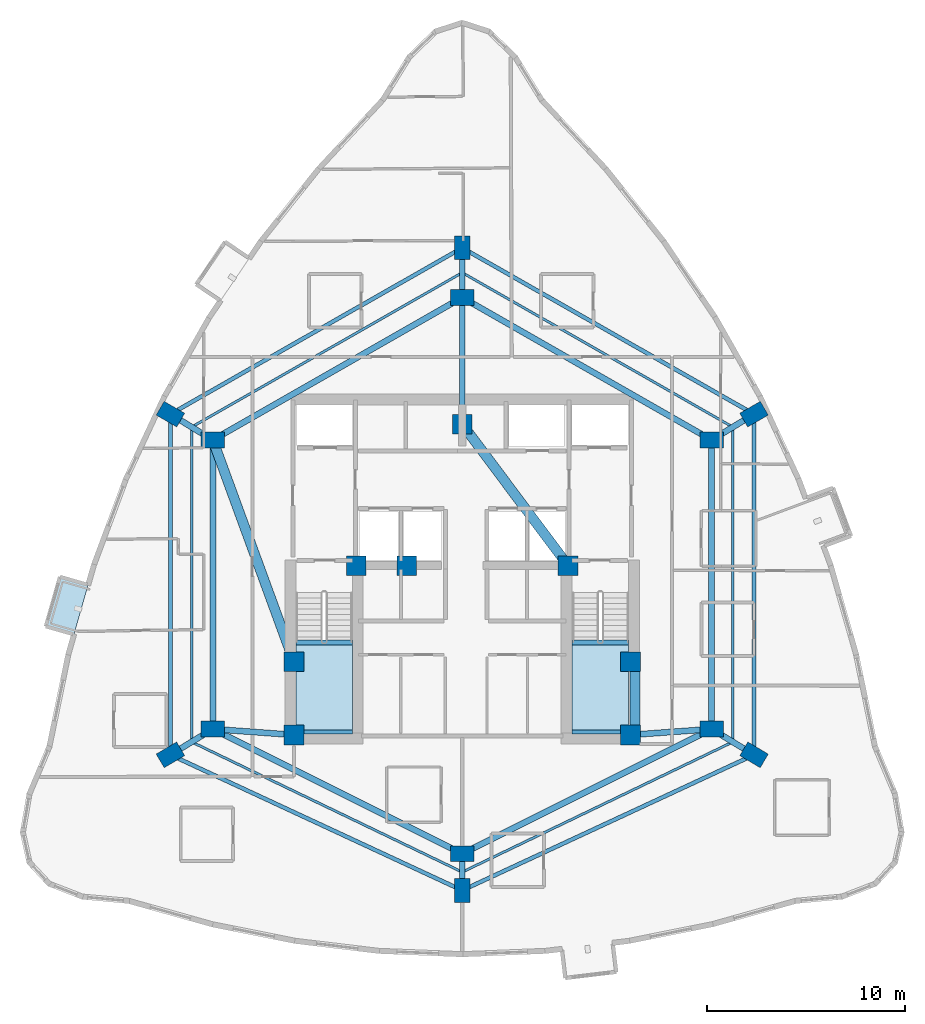
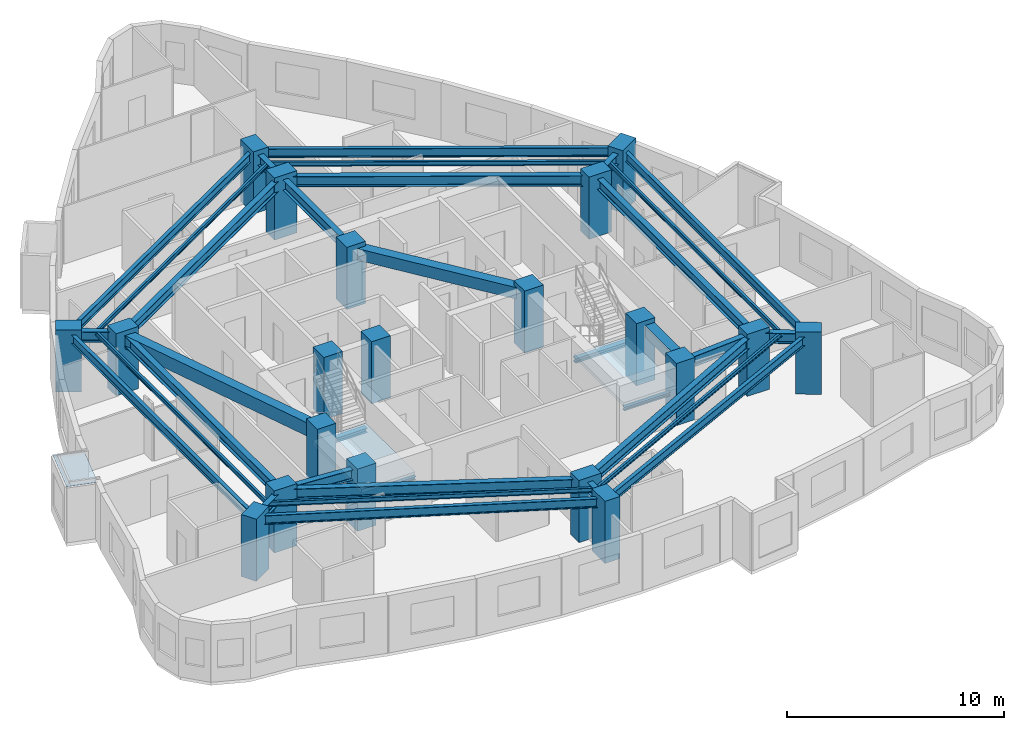
# One storey, part 1 of 11: 34 beams, 20 columns, 2 slabs, 1 plate, 2 elements without a shape of their own.
"""IFC4 building model written with IfcOpenShell, lengths in metres."""

from ifc_helpers import new_model, si_unit, direction, frame, origin, origin_2d, place, context, subcontext, project, spatial, polyline, rectangle, i_section, outline, extrude, material, layer, layer_set, material_profile, profile_set, type_object, element, aggregate, save


model = new_model("IFC4")

# Units and contexts
model_context = context("Model", 3, precision=1e-05, world=origin(), true_north=direction((0.0, 1.0)))
body_context = subcontext(model_context, "Body", "Model", "MODEL_VIEW")
ifc_project = project(units=[si_unit("LENGTHUNIT", "METRE"), si_unit("AREAUNIT", "SQUARE_METRE"), si_unit("VOLUMEUNIT", "CUBIC_METRE"), si_unit("PLANEANGLEUNIT", "RADIAN"), si_unit("MASSUNIT", "GRAM", prefix="KILO")], contexts=[model_context])

# Site, building, storey
site_placement = place(None, origin())
site = spatial("IfcSite", under=ifc_project, at=site_placement, CompositionType="ELEMENT")
building_placement = place(site_placement, origin())
building = spatial("IfcBuilding", under=site, at=building_placement, Name="Miruveldt Soraemaru", CompositionType="ELEMENT")
storey_placement = place(building_placement, frame((0.0, 0.0, 100.39990234375)))
storey = spatial("IfcBuildingStorey", under=building, at=storey_placement, Name="L27", CompositionType="ELEMENT", Elevation=100.39990234375)

# Columns
ifc_material_1 = material(Name="Concrete C60/75 (60 MPa)", Category="concrete")
ifc_material_profile_1 = material_profile(ifc_material_1, rectangle(XDim=1.0, YDim=1.0, at=origin_2d()), Name="Concrete C60/75 (60 MPa)", Category="concrete")
ifc_profile_set_1 = profile_set([ifc_material_profile_1], Name="Concrete C60/75 (60 MPa)")
column_type_1 = type_object("IfcColumnType", Name="COL-CORE-1000", PredefinedType="COLUMN", material=ifc_profile_set_1)
for number, where, z_axis, x_axis, name in (
    (1, (35.5, 35.5, 0.0), (0.0, 0.0, 1.0), (1.0, 0.0, 0.0), "L27 Structural Column CC1"),
    (2, (38.64990234375, 44.050048828125, 0.0), (0.0, 0.0, 1.0), (1.0, 0.0, 0.0), "L27 Structural Column CC2"),
    (3, (52.5, 35.5, 0.0), (0.0, 0.0, 1.0), (1.0, 0.0, 0.0), "L27 Structural Column CC3"),
    (4, (52.5, 39.199951171875, 0.0), (0.0, 0.0, 1.0), (1.0, 0.0, 0.0), "L27 Structural Column CC4"),
    (5, (49.35009765625, 44.050048828125, 0.0), (0.0, 0.0, 1.0), (1.0, 0.0, 0.0), "L27 Structural Column CC5"),
    (6, (44.0, 51.199951171875, 0.0), (0.0, 0.0, 1.0), (1.0, 0.0, 0.0), "L27 Structural Column CC6"),
    (7, (35.5, 39.199951171875, 0.0), (0.0, 0.0, 1.0), (1.0, 0.0, 0.0), "L27 Structural Column CC7"),
    (8, (41.199951171875, 44.050048828125, 0.0), (0.0, 0.0, 1.0), (1.0, 0.0, 0.0), "L27 Structural Column CC8"),
):
    element("IfcColumn", number, at=place(storey_placement, frame(where, z_axis=z_axis, x_axis=x_axis)), inside=storey, type_object=column_type_1, Name=name, PredefinedType="COLUMN", context=body_context, shape_type="SweptSolid", body=[
        extrude(rectangle(XDim=1.0, YDim=1.0, at=origin_2d()), origin(), (0.0, 0.0, 1.0), 3.5),
    ])
ifc_material_2 = material(Name="Concrete C70/85 (70 MPa)", Category="concrete")
ifc_material_profile_2 = material_profile(ifc_material_2, rectangle(XDim=1.199951171875, YDim=0.800048828125, at=origin_2d()), Name="Concrete C70/85 (70 MPa)", Category="concrete")
ifc_profile_set_2 = profile_set([ifc_material_profile_2], Name="Concrete C70/85 (70 MPa)")
column_type_2 = type_object("IfcColumnType", Name="COL-TW-Z2", PredefinedType="COLUMN", material=ifc_profile_set_2)
for number, where, z_axis, x_axis, name in (
    (9, (44.0, 57.60009765625, 0.0), (0.0, 0.0, 1.0), (1.0, 0.0, 0.0), "L27 Structural Column IR01"),
    (10, (56.60009765625, 50.39990234375, 0.0), (0.0, 0.0, 1.0), (1.0, 0.0, 0.0), "L27 Structural Column IR02"),
    (11, (56.60009765625, 35.800048828125, 0.0), (0.0, 0.0, 1.0), (1.0, 0.0, 0.0), "L27 Structural Column IR03"),
    (12, (44.0, 29.5, 0.0), (0.0, 0.0, 1.0), (1.0, 0.0, 0.0), "L27 Structural Column IR04"),
    (13, (31.39990234375, 35.800048828125, 0.0), (0.0, 0.0, 1.0), (1.0, 0.0, 0.0), "L27 Structural Column IR05"),
    (14, (31.39990234375, 50.39990234375, 0.0), (0.0, 0.0, 1.0), (1.0, 0.0, 0.0), "L27 Structural Column IR06"),
    (15, (44.0, 60.10595703125, 0.0), (0.0, 0.0, 1.0), (0.0, 1.0, 0.0), "L27 Structural Column Z2P01"),
    (16, (58.739990234375, 51.705078125, 0.0), (0.0, 0.0, 1.0), (0.866025403784, 0.5, 0.0), "L27 Structural Column Z2P02"),
    (17, (58.739990234375, 34.4951171875, 0.0), (0.0, 0.0, 1.0), (-0.860742027004, 0.50904141575, 0.0), "L27 Structural Column Z2P03"),
    (18, (44.0, 27.64697265625, 0.0), (0.0, 0.0, 1.0), (0.0, 1.0, 0.0), "L27 Structural Column Z2P04"),
    (19, (29.260009765625, 34.4951171875, 0.0), (0.0, 0.0, 1.0), (0.860742027004, 0.50904141575, 0.0), "L27 Structural Column Z2P05"),
    (20, (29.260009765625, 51.705078125, 0.0), (0.0, 0.0, 1.0), (-0.866025403784, 0.5, 0.0), "L27 Structural Column Z2P06"),
):
    element("IfcColumn", number, at=place(storey_placement, frame(where, z_axis=z_axis, x_axis=x_axis)), inside=storey, type_object=column_type_2, Name=name, PredefinedType="COLUMN", context=body_context, shape_type="SweptSolid", body=[
        extrude(rectangle(XDim=1.199951171875, YDim=0.800048828125, at=origin_2d()), origin(), (0.0, 0.0, 1.0), 3.5),
    ])

# Beams
ifc_material_3 = material(Name="Concrete C50/60 (50 MPa)", Category="concrete")
ifc_material_profile_3 = material_profile(ifc_material_3, rectangle(XDim=0.5, YDim=0.64990234375, at=origin_2d()), Name="Concrete C50/60 (50 MPa)", Category="concrete")
ifc_profile_set_3 = profile_set([ifc_material_profile_3], Name="Concrete C50/60 (50 MPa)")
beam_type_1 = type_object("IfcBeamType", Name="BM-RC-500x650", PredefinedType="BEAM", material=ifc_profile_set_3)
beam_1_placement = place(storey_placement, frame((52.72998046875, 35.5, 2.91015625), z_axis=(0.0, 1.0, 0.0), x_axis=(-1.0, 0.0, 0.0)))
element("IfcBeam", 21, at=beam_1_placement, inside=storey, type_object=beam_type_1, Name="L27 Core Tie Beam 3", PredefinedType="BEAM", context=body_context, shape_type="SweptSolid", body=[
    extrude(rectangle(XDim=0.5, YDim=0.64990234375, at=origin_2d()), origin(), (0.0, 0.0, 1.0), 3.699951171875),
])
beam_2_placement = place(storey_placement, frame((49.35009765625, 44.050048828125, 2.91015625), z_axis=(-0.599116023999, 0.800662219533, 0.0), x_axis=(-0.800662219533, -0.599116023999, 0.0)))
element("IfcBeam", 22, at=beam_2_placement, inside=storey, type_object=beam_type_1, Name="L27 Core Tie Beam 5", PredefinedType="BEAM", context=body_context, shape_type="SweptSolid", body=[
    extrude(rectangle(XDim=0.5, YDim=0.64990234375, at=origin_2d()), origin(), (0.0, 0.0, 1.0), 8.929931640625),
])
ifc_material_4 = material(Name="Concrete C40/50 (40 MPa)", Category="concrete")
ifc_material_profile_4 = material_profile(ifc_material_4, rectangle(XDim=0.5, YDim=0.75, at=origin_2d()), Name="Concrete C40/50 (40 MPa)", Category="concrete")
ifc_profile_set_4 = profile_set([ifc_material_profile_4], Name="Concrete C40/50 (40 MPa)")
beam_type_2 = type_object("IfcBeamType", Name="BM-RC-500x750", PredefinedType="LINTEL", material=ifc_profile_set_4)
beam_3_placement = place(storey_placement, frame((31.39990234375, 50.39990234375, 2.860107421875), z_axis=(0.343770424598, -0.939053723262, 0.0), x_axis=(0.939053723262, 0.343770424598, 0.0)))
element("IfcBeam", 23, at=beam_3_placement, inside=storey, type_object=beam_type_2, Name="L27 West Lobby Lintel", PredefinedType="LINTEL", context=body_context, shape_type="SweptSolid", body=[
    extrude(rectangle(XDim=0.5, YDim=0.75, at=origin_2d()), origin(), (0.0, 0.0, 1.0), 11.9267578125),
])
ifc_material_5 = material(Name="Steel SM355 (355 MPa)", Category="steel")
ifc_material_profile_5 = material_profile(ifc_material_5, i_section(OverallWidth=0.125, OverallDepth=0.25, WebThickness=0.006103515625, FlangeThickness=0.009033203125, FilletRadius=0.011962890625, at=origin_2d()), Name="Steel SM355 (355 MPa)", Category="steel")
ifc_profile_set_5 = profile_set([ifc_material_profile_5], Name="Steel SM355 (355 MPa)")
beam_type_3 = type_object("IfcBeamType", Name="BM-ST-H250", PredefinedType="JOIST", material=ifc_profile_set_5)
beam_4_placement = place(storey_placement, frame((44.0, 58.85302734375, 3.110107421875), z_axis=(0.868539859756, -0.495619321672, 0.0), x_axis=(0.495619321672, 0.868539859756, 0.0)))
element("IfcBeam", 24, at=beam_4_placement, inside=storey, type_object=beam_type_3, Name="L27 Outer Bay Floor Joist 1", PredefinedType="JOIST", context=body_context, shape_type="SweptSolid", body=[
    extrude(i_section(OverallWidth=0.125, OverallDepth=0.25, WebThickness=0.006103515625, FlangeThickness=0.009033203125, FilletRadius=0.011962890625, at=origin_2d()), origin(), (0.0, 0.0, 1.0), 15.739013671875),
])
beam_5_placement = place(storey_placement, frame((57.669921875, 51.052490234375, 3.110107421875), z_axis=(0.0, -1.0, 0.0), x_axis=(1.0, 0.0, 0.0)))
element("IfcBeam", 25, at=beam_5_placement, inside=storey, type_object=beam_type_3, Name="L27 Outer Bay Floor Joist 2", PredefinedType="JOIST", context=body_context, shape_type="SweptSolid", body=[
    extrude(i_section(OverallWidth=0.125, OverallDepth=0.25, WebThickness=0.006103515625, FlangeThickness=0.009033203125, FilletRadius=0.011962890625, at=origin_2d()), origin(), (0.0, 0.0, 1.0), 15.905029296875),
])
for number, where, z_axis, x_axis, name in (
    (26, (57.669921875, 35.1474609375, 3.110107421875), (-0.901203586802, -0.433396002676, 0.0), (0.433396002676, -0.901203586802, 0.0), "L27 Outer Bay Floor Joist 3"),
    (27, (44.0, 28.573486328125, 3.110107421875), (-0.901203586802, 0.433396002676, 0.0), (-0.433396002676, -0.901203586802, 0.0), "L27 Outer Bay Floor Joist 4"),
):
    element("IfcBeam", number, at=place(storey_placement, frame(where, z_axis=z_axis, x_axis=x_axis)), inside=storey, type_object=beam_type_3, Name=name, PredefinedType="JOIST", context=body_context, shape_type="SweptSolid", body=[
        extrude(i_section(OverallWidth=0.125, OverallDepth=0.25, WebThickness=0.006103515625, FlangeThickness=0.009033203125, FilletRadius=0.011962890625, at=origin_2d()), origin(), (0.0, 0.0, 1.0), 15.16845703125),
    ])
beam_6_placement = place(storey_placement, frame((30.330078125, 35.1474609375, 3.110107421875), z_axis=(0.0, 1.0, 0.0), x_axis=(-1.0, 0.0, 0.0)))
element("IfcBeam", 28, at=beam_6_placement, inside=storey, type_object=beam_type_3, Name="L27 Outer Bay Floor Joist 5", PredefinedType="JOIST", context=body_context, shape_type="SweptSolid", body=[
    extrude(i_section(OverallWidth=0.125, OverallDepth=0.25, WebThickness=0.006103515625, FlangeThickness=0.009033203125, FilletRadius=0.011962890625, at=origin_2d()), origin(), (0.0, 0.0, 1.0), 15.905029296875),
])
beam_7_placement = place(storey_placement, frame((30.330078125, 51.052490234375, 3.110107421875), z_axis=(0.868539859756, 0.495619321672, 0.0), x_axis=(-0.495619321672, 0.868539859756, 0.0)))
element("IfcBeam", 29, at=beam_7_placement, inside=storey, type_object=beam_type_3, Name="L27 Outer Bay Floor Joist 6", PredefinedType="JOIST", context=body_context, shape_type="SweptSolid", body=[
    extrude(i_section(OverallWidth=0.125, OverallDepth=0.25, WebThickness=0.006103515625, FlangeThickness=0.009033203125, FilletRadius=0.011962890625, at=origin_2d()), origin(), (0.0, 0.0, 1.0), 15.739013671875),
])
ifc_material_profile_6 = material_profile(ifc_material_5, i_section(OverallWidth=0.199951171875, OverallDepth=0.5, WebThickness=0.010009765625, FlangeThickness=0.01611328125, FilletRadius=0.02001953125, at=origin_2d()), Name="Steel SM355 (355 MPa)", Category="steel")
ifc_profile_set_6 = profile_set([ifc_material_profile_6], Name="Steel SM355 (355 MPa)")
beam_type_4 = type_object("IfcBeamType", Name="BM-ST-H500", PredefinedType="SPANDREL", material=ifc_profile_set_6)
beam_8_placement = place(storey_placement, frame((44.0, 60.10595703125, 2.985107421875), z_axis=(0.86880048516, -0.495162313778, 0.0), x_axis=(0.495162313778, 0.86880048516, 0.0)))
element("IfcBeam", 30, at=beam_8_placement, inside=storey, type_object=beam_type_4, Name="L27 Zone-2 Spandrel Beam 1", PredefinedType="SPANDREL", context=body_context, shape_type="SweptSolid", body=[
    extrude(i_section(OverallWidth=0.199951171875, OverallDepth=0.5, WebThickness=0.010009765625, FlangeThickness=0.01611328125, FilletRadius=0.02001953125, at=origin_2d()), origin(), (0.0, 0.0, 1.0), 16.9658203125),
])
beam_9_placement = place(storey_placement, frame((58.739990234375, 51.705078125, 2.985107421875), z_axis=(0.0, -1.0, 0.0), x_axis=(1.0, 0.0, 0.0)))
element("IfcBeam", 31, at=beam_9_placement, inside=storey, type_object=beam_type_4, Name="L27 Zone-2 Spandrel Beam 2", PredefinedType="SPANDREL", context=body_context, shape_type="SweptSolid", body=[
    extrude(i_section(OverallWidth=0.199951171875, OverallDepth=0.5, WebThickness=0.010009765625, FlangeThickness=0.01611328125, FilletRadius=0.02001953125, at=origin_2d()), origin(), (0.0, 0.0, 1.0), 17.2099609375),
])
for number, where, z_axis, x_axis, name in (
    (32, (58.739990234375, 34.4951171875, 2.985107421875), (-0.906901362829, -0.421342993414, 0.0), (0.421342993414, -0.906901362829, 0.0), "L27 Zone-2 Spandrel Beam 3"),
    (33, (44.0, 27.64697265625, 2.985107421875), (-0.906901362829, 0.421342993414, 0.0), (-0.421342993414, -0.906901362829, 0.0), "L27 Zone-2 Spandrel Beam 4"),
):
    element("IfcBeam", number, at=place(storey_placement, frame(where, z_axis=z_axis, x_axis=x_axis)), inside=storey, type_object=beam_type_4, Name=name, PredefinedType="SPANDREL", context=body_context, shape_type="SweptSolid", body=[
        extrude(i_section(OverallWidth=0.199951171875, OverallDepth=0.5, WebThickness=0.010009765625, FlangeThickness=0.01611328125, FilletRadius=0.02001953125, at=origin_2d()), origin(), (0.0, 0.0, 1.0), 16.253173828125),
    ])
beam_10_placement = place(storey_placement, frame((29.260009765625, 34.4951171875, 2.985107421875), z_axis=(0.0, 1.0, 0.0), x_axis=(-1.0, 0.0, 0.0)))
element("IfcBeam", 34, at=beam_10_placement, inside=storey, type_object=beam_type_4, Name="L27 Zone-2 Spandrel Beam 5", PredefinedType="SPANDREL", context=body_context, shape_type="SweptSolid", body=[
    extrude(i_section(OverallWidth=0.199951171875, OverallDepth=0.5, WebThickness=0.010009765625, FlangeThickness=0.01611328125, FilletRadius=0.02001953125, at=origin_2d()), origin(), (0.0, 0.0, 1.0), 17.2099609375),
])
beam_11_placement = place(storey_placement, frame((29.260009765625, 51.705078125, 2.985107421875), z_axis=(0.86880048516, 0.495162313778, 0.0), x_axis=(-0.495162313778, 0.86880048516, 0.0)))
element("IfcBeam", 35, at=beam_11_placement, inside=storey, type_object=beam_type_4, Name="L27 Zone-2 Spandrel Beam 6", PredefinedType="SPANDREL", context=body_context, shape_type="SweptSolid", body=[
    extrude(i_section(OverallWidth=0.199951171875, OverallDepth=0.5, WebThickness=0.010009765625, FlangeThickness=0.01611328125, FilletRadius=0.02001953125, at=origin_2d()), origin(), (0.0, 0.0, 1.0), 16.9658203125),
])
ifc_material_profile_7 = material_profile(ifc_material_5, i_section(OverallWidth=0.300048828125, OverallDepth=0.587890625, WebThickness=0.011962890625, FlangeThickness=0.02001953125, FilletRadius=0.028076171875, at=origin_2d()), Name="Steel SM355 (355 MPa)", Category="steel")
ifc_profile_set_7 = profile_set([ifc_material_profile_7], Name="Steel SM355 (355 MPa)")
beam_type_5 = type_object("IfcBeamType", Name="BM-ST-H588", PredefinedType="BEAM", material=ifc_profile_set_7)
beam_12_placement = place(storey_placement, frame((44.0, 57.60009765625, 2.941162109375), z_axis=(0.868239001029, -0.496146185203, 0.0), x_axis=(0.496146185203, 0.868239001029, 0.0)))
element("IfcBeam", 36, at=beam_12_placement, inside=storey, type_object=beam_type_5, Name="L27 Inner Ring Girder 1", PredefinedType="BEAM", context=body_context, shape_type="SweptSolid", body=[
    extrude(i_section(OverallWidth=0.300048828125, OverallDepth=0.587890625, WebThickness=0.011962890625, FlangeThickness=0.02001953125, FilletRadius=0.028076171875, at=origin_2d()), origin(), (0.0, 0.0, 1.0), 14.51220703125),
])
beam_13_placement = place(storey_placement, frame((44.0, 51.199951171875, 2.941162109375), z_axis=(0.0, 1.0, 0.0), x_axis=(-1.0, 0.0, 0.0)))
element("IfcBeam", 37, at=beam_13_placement, inside=storey, type_object=beam_type_5, Name="L27 Core-to-Inner Radial Girder 1", PredefinedType="BEAM", context=body_context, shape_type="SweptSolid", body=[
    extrude(i_section(OverallWidth=0.300048828125, OverallDepth=0.587890625, WebThickness=0.011962890625, FlangeThickness=0.02001953125, FilletRadius=0.028076171875, at=origin_2d()), origin(), (0.0, 0.0, 1.0), 6.400146484375),
])
beam_14_placement = place(storey_placement, frame((56.60009765625, 50.39990234375, 2.941162109375), z_axis=(0.0, -1.0, 0.0), x_axis=(1.0, 0.0, 0.0)))
element("IfcBeam", 38, at=beam_14_placement, inside=storey, type_object=beam_type_5, Name="L27 Inner Ring Girder 2", PredefinedType="BEAM", context=body_context, shape_type="SweptSolid", body=[
    extrude(i_section(OverallWidth=0.300048828125, OverallDepth=0.587890625, WebThickness=0.011962890625, FlangeThickness=0.02001953125, FilletRadius=0.028076171875, at=origin_2d()), origin(), (0.0, 0.0, 1.0), 14.599853515625),
])
beam_15_placement = place(storey_placement, frame((56.60009765625, 35.800048828125, 2.941162109375), z_axis=(-0.894427191, -0.4472135955, 0.0), x_axis=(0.4472135955, -0.894427191, 0.0)))
element("IfcBeam", 39, at=beam_15_placement, inside=storey, type_object=beam_type_5, Name="L27 Inner Ring Girder 3", PredefinedType="BEAM", context=body_context, shape_type="SweptSolid", body=[
    extrude(i_section(OverallWidth=0.300048828125, OverallDepth=0.587890625, WebThickness=0.011962890625, FlangeThickness=0.02001953125, FilletRadius=0.028076171875, at=origin_2d()), origin(), (0.0, 0.0, 1.0), 14.08740234375),
])
beam_16_placement = place(storey_placement, frame((52.5, 35.5, 2.941162109375), z_axis=(0.997332985605, 0.072985723431, 0.0), x_axis=(-0.072985723431, 0.997332985605, 0.0)))
element("IfcBeam", 40, at=beam_16_placement, inside=storey, type_object=beam_type_5, Name="L27 Core-to-Inner Radial Girder 3", PredefinedType="BEAM", context=body_context, shape_type="SweptSolid", body=[
    extrude(i_section(OverallWidth=0.300048828125, OverallDepth=0.587890625, WebThickness=0.011962890625, FlangeThickness=0.02001953125, FilletRadius=0.028076171875, at=origin_2d()), origin(), (0.0, 0.0, 1.0), 4.111083984375),
])
beam_17_placement = place(storey_placement, frame((44.0, 29.5, 2.941162109375), z_axis=(-0.894427191, 0.4472135955, 0.0), x_axis=(-0.4472135955, -0.894427191, 0.0)))
element("IfcBeam", 41, at=beam_17_placement, inside=storey, type_object=beam_type_5, Name="L27 Inner Ring Girder 4", PredefinedType="BEAM", context=body_context, shape_type="SweptSolid", body=[
    extrude(i_section(OverallWidth=0.300048828125, OverallDepth=0.587890625, WebThickness=0.011962890625, FlangeThickness=0.02001953125, FilletRadius=0.028076171875, at=origin_2d()), origin(), (0.0, 0.0, 1.0), 14.08740234375),
])
beam_18_placement = place(storey_placement, frame((31.39990234375, 35.800048828125, 2.941162109375), z_axis=(0.0, 1.0, 0.0), x_axis=(-1.0, 0.0, 0.0)))
element("IfcBeam", 42, at=beam_18_placement, inside=storey, type_object=beam_type_5, Name="L27 Inner Ring Girder 5", PredefinedType="BEAM", context=body_context, shape_type="SweptSolid", body=[
    extrude(i_section(OverallWidth=0.300048828125, OverallDepth=0.587890625, WebThickness=0.011962890625, FlangeThickness=0.02001953125, FilletRadius=0.028076171875, at=origin_2d()), origin(), (0.0, 0.0, 1.0), 14.599853515625),
])
beam_19_placement = place(storey_placement, frame((35.5, 35.5, 2.941162109375), z_axis=(-0.997332985605, 0.072985723431, 0.0), x_axis=(-0.072985723431, -0.997332985605, 0.0)))
element("IfcBeam", 43, at=beam_19_placement, inside=storey, type_object=beam_type_5, Name="L27 Core-to-Inner Radial Girder 5", PredefinedType="BEAM", context=body_context, shape_type="SweptSolid", body=[
    extrude(i_section(OverallWidth=0.300048828125, OverallDepth=0.587890625, WebThickness=0.011962890625, FlangeThickness=0.02001953125, FilletRadius=0.028076171875, at=origin_2d()), origin(), (0.0, 0.0, 1.0), 4.111083984375),
])
beam_20_placement = place(storey_placement, frame((31.39990234375, 50.39990234375, 2.941162109375), z_axis=(0.868239001029, 0.496146185203, 0.0), x_axis=(-0.496146185203, 0.868239001029, 0.0)))
element("IfcBeam", 44, at=beam_20_placement, inside=storey, type_object=beam_type_5, Name="L27 Inner Ring Girder 6", PredefinedType="BEAM", context=body_context, shape_type="SweptSolid", body=[
    extrude(i_section(OverallWidth=0.300048828125, OverallDepth=0.587890625, WebThickness=0.011962890625, FlangeThickness=0.02001953125, FilletRadius=0.028076171875, at=origin_2d()), origin(), (0.0, 0.0, 1.0), 14.51220703125),
])
beam_21_placement = place(storey_placement, frame((44.0, 57.60009765625, 2.941162109375), z_axis=(0.0, 1.0, 0.0), x_axis=(-1.0, 0.0, 0.0)))
element("IfcBeam", 45, at=beam_21_placement, inside=storey, type_object=beam_type_5, Name="L27 Zone-2 Radial Girder 1", PredefinedType="BEAM", context=body_context, shape_type="SweptSolid", body=[
    extrude(i_section(OverallWidth=0.300048828125, OverallDepth=0.587890625, WebThickness=0.011962890625, FlangeThickness=0.02001953125, FilletRadius=0.028076171875, at=origin_2d()), origin(), (0.0, 0.0, 1.0), 2.505859375),
])
beam_22_placement = place(storey_placement, frame((56.60009765625, 50.39990234375, 2.941162109375), z_axis=(0.85373175529, 0.520713059188, 0.0), x_axis=(-0.520713059188, 0.85373175529, 0.0)))
element("IfcBeam", 46, at=beam_22_placement, inside=storey, type_object=beam_type_5, Name="L27 Zone-2 Radial Girder 2", PredefinedType="BEAM", context=body_context, shape_type="SweptSolid", body=[
    extrude(i_section(OverallWidth=0.300048828125, OverallDepth=0.587890625, WebThickness=0.011962890625, FlangeThickness=0.02001953125, FilletRadius=0.028076171875, at=origin_2d()), origin(), (0.0, 0.0, 1.0), 2.506591796875),
])
beam_23_placement = place(storey_placement, frame((56.60009765625, 35.800048828125, 2.941162109375), z_axis=(0.853775054686, -0.5206420613, 0.0), x_axis=(0.5206420613, 0.853775054686, 0.0)))
element("IfcBeam", 47, at=beam_23_placement, inside=storey, type_object=beam_type_5, Name="L27 Zone-2 Radial Girder 3", PredefinedType="BEAM", context=body_context, shape_type="SweptSolid", body=[
    extrude(i_section(OverallWidth=0.300048828125, OverallDepth=0.587890625, WebThickness=0.011962890625, FlangeThickness=0.02001953125, FilletRadius=0.028076171875, at=origin_2d()), origin(), (0.0, 0.0, 1.0), 2.50634765625),
])
beam_24_placement = place(storey_placement, frame((44.0, 29.5, 2.941162109375), z_axis=(0.0, -1.0, 0.0), x_axis=(1.0, 0.0, 0.0)))
element("IfcBeam", 48, at=beam_24_placement, inside=storey, type_object=beam_type_5, Name="L27 Zone-2 Radial Girder 4", PredefinedType="BEAM", context=body_context, shape_type="SweptSolid", body=[
    extrude(i_section(OverallWidth=0.300048828125, OverallDepth=0.587890625, WebThickness=0.011962890625, FlangeThickness=0.02001953125, FilletRadius=0.028076171875, at=origin_2d()), origin(), (0.0, 0.0, 1.0), 1.85302734375),
])
beam_25_placement = place(storey_placement, frame((31.39990234375, 35.800048828125, 2.941162109375), z_axis=(-0.853775054686, -0.5206420613, 0.0), x_axis=(0.5206420613, -0.853775054686, 0.0)))
element("IfcBeam", 49, at=beam_25_placement, inside=storey, type_object=beam_type_5, Name="L27 Zone-2 Radial Girder 5", PredefinedType="BEAM", context=body_context, shape_type="SweptSolid", body=[
    extrude(i_section(OverallWidth=0.300048828125, OverallDepth=0.587890625, WebThickness=0.011962890625, FlangeThickness=0.02001953125, FilletRadius=0.028076171875, at=origin_2d()), origin(), (0.0, 0.0, 1.0), 2.50634765625),
])
beam_26_placement = place(storey_placement, frame((31.39990234375, 50.39990234375, 2.941162109375), z_axis=(-0.85373175529, 0.520713059188, 0.0), x_axis=(-0.520713059188, -0.85373175529, 0.0)))
element("IfcBeam", 50, at=beam_26_placement, inside=storey, type_object=beam_type_5, Name="L27 Zone-2 Radial Girder 6", PredefinedType="BEAM", context=body_context, shape_type="SweptSolid", body=[
    extrude(i_section(OverallWidth=0.300048828125, OverallDepth=0.587890625, WebThickness=0.011962890625, FlangeThickness=0.02001953125, FilletRadius=0.028076171875, at=origin_2d()), origin(), (0.0, 0.0, 1.0), 2.506591796875),
])
ifc_material_profile_8 = material_profile(ifc_material_5, i_section(OverallWidth=0.199951171875, OverallDepth=0.199951171875, WebThickness=0.008056640625, FlangeThickness=0.011962890625, FilletRadius=0.012939453125, at=origin_2d()), Name="Steel SM355 (355 MPa)", Category="steel")
ifc_profile_set_8 = profile_set([ifc_material_profile_8], Name="Steel SM355 (355 MPa)")
beam_type_6 = type_object("IfcBeamType", Name="BM-ST-LND200", PredefinedType="BEAM", material=ifc_profile_set_8)
for number, where, z_axis, x_axis, name in (
    (51, (35.60009765625, 35.64990234375, 1.4501953125), (1.0, 0.0, 0.0), (0.0, 1.0, 0.0), "L27 ST1 Landing End Beam 1B"),
    (52, (49.550048828125, 35.64990234375, 1.4501953125), (1.0, 0.0, 0.0), (0.0, 1.0, 0.0), "L27 ST2 Landing End Beam 1B"),
):
    element("IfcBeam", number, at=place(storey_placement, frame(where, z_axis=z_axis, x_axis=x_axis)), inside=storey, type_object=beam_type_6, Name=name, PredefinedType="BEAM", context=body_context, shape_type="SweptSolid", body=[
        extrude(i_section(OverallWidth=0.199951171875, OverallDepth=0.199951171875, WebThickness=0.008056640625, FlangeThickness=0.011962890625, FilletRadius=0.012939453125, at=origin_2d()), origin(), (0.0, 0.0, 1.0), 2.849853515625),
    ])
ifc_material_profile_9 = material_profile(ifc_material_5, i_section(OverallWidth=0.25, OverallDepth=0.25, WebThickness=0.009033203125, FlangeThickness=0.013916015625, FilletRadius=0.01611328125, at=origin_2d()), Name="Steel SM355 (355 MPa)", Category="steel")
ifc_profile_set_9 = profile_set([ifc_material_profile_9], Name="Steel SM355 (355 MPa)")
beam_type_7 = type_object("IfcBeamType", Name="BM-ST-LND250", PredefinedType="BEAM", material=ifc_profile_set_9)
for number, where, z_axis, x_axis, name in (
    (53, (35.60009765625, 40.179931640625, 1.425048828125), (1.0, 0.0, 0.0), (0.0, 1.0, 0.0), "L27 ST1 Landing Support Beam 1A"),
    (54, (49.550048828125, 40.179931640625, 1.425048828125), (1.0, 0.0, 0.0), (0.0, 1.0, 0.0), "L27 ST2 Landing Support Beam 1A"),
):
    element("IfcBeam", number, at=place(storey_placement, frame(where, z_axis=z_axis, x_axis=x_axis)), inside=storey, type_object=beam_type_7, Name=name, PredefinedType="BEAM", context=body_context, shape_type="SweptSolid", body=[
        extrude(i_section(OverallWidth=0.25, OverallDepth=0.25, WebThickness=0.009033203125, FlangeThickness=0.013916015625, FilletRadius=0.01611328125, at=origin_2d()), origin(), (0.0, 0.0, 1.0), 2.849853515625),
    ])

# Plate
ifc_material_6 = material(Name="Standing-seam titanium-zinc sheet", Category="aluminium")
ifc_layer_1 = layer(ifc_material_6, 0.011962890625, Name="Standing-seam titanium-zinc sheet", Category="aluminium")
ifc_layer_set_1 = layer_set([ifc_layer_1], Name="Standing-seam titanium-zinc sheet")
plate_type = type_object("IfcPlateType", Name="PLT-ZINC-12", PredefinedType="SHEET", material=ifc_layer_set_1)
plate_placement = place(storey_placement, frame((0.0, 0.0, 3.085205078125)))
element("IfcPlate", 55, at=plate_placement, inside=storey, type_object=plate_type, Name="L27 Bay Window Zinc Hood Sheet 2", PredefinedType="SHEET", context=body_context, shape_type="SweptSolid", body=[
    extrude(outline(polyline([(25.10302734375, 43.08056640625), (24.38818359375, 40.580810546875), (22.965087890625, 40.98779296875), (23.679931640625, 43.487548828125), (25.10302734375, 43.08056640625)])), origin(), (0.0, 0.0, 1.0), 0.011962890625),
])

# Stair, slab
stair_type = type_object("IfcStairType", Name="STAIR-DL-350", PredefinedType="HALF_TURN_STAIR", material=ifc_material_4)
stair_1_placement = place(storey_placement, origin())
stair_1 = element("IfcStair", 56, at=stair_1_placement, inside=storey, type_object=stair_type, Name="L27 Protected Exit Stair ST-1", PredefinedType="HALF_TURN_STAIR")
ifc_layer_2 = layer(ifc_material_4, 0.199951171875, Name="Concrete C40/50 (40 MPa)", Category="concrete")
ifc_layer_set_2 = layer_set([ifc_layer_2], Name="Concrete C40/50 (40 MPa)")
slab_type = type_object("IfcSlabType", Name="SLAB-LAND-200", PredefinedType="LANDING", material=ifc_layer_set_2)
slab_1_placement = place(storey_placement, frame((0.0, 0.0, 1.550048828125)))
slab_1 = element("IfcSlab", 57, at=slab_1_placement, type_object=slab_type, Name="ST-1 landing 1", PredefinedType="LANDING", context=body_context, shape_type="SweptSolid", body=[
    extrude(outline(polyline([(35.60009765625, 40.197998046875), (35.60009765625, 35.64990234375), (38.449951171875, 35.64990234375), (38.449951171875, 40.197998046875), (35.60009765625, 40.197998046875)])), origin(), (0.0, 0.0, 1.0), 0.199951171875),
])
aggregate(stair_1, [slab_1])

stair_2_placement = place(storey_placement, origin())
stair_2 = element("IfcStair", 58, at=stair_2_placement, inside=storey, type_object=stair_type, Name="L27 Protected Exit Stair ST-2", PredefinedType="HALF_TURN_STAIR")
slab_2_placement = place(storey_placement, frame((0.0, 0.0, 1.550048828125)))
slab_2 = element("IfcSlab", 59, at=slab_2_placement, type_object=slab_type, Name="ST-2 landing 1", PredefinedType="LANDING", context=body_context, shape_type="SweptSolid", body=[
    extrude(outline(polyline([(49.550048828125, 40.197998046875), (49.550048828125, 35.64990234375), (52.39990234375, 35.64990234375), (52.39990234375, 40.197998046875), (49.550048828125, 40.197998046875)])), origin(), (0.0, 0.0, 1.0), 0.199951171875),
])
aggregate(stair_2, [slab_2])

save(model, "model.ifc")
